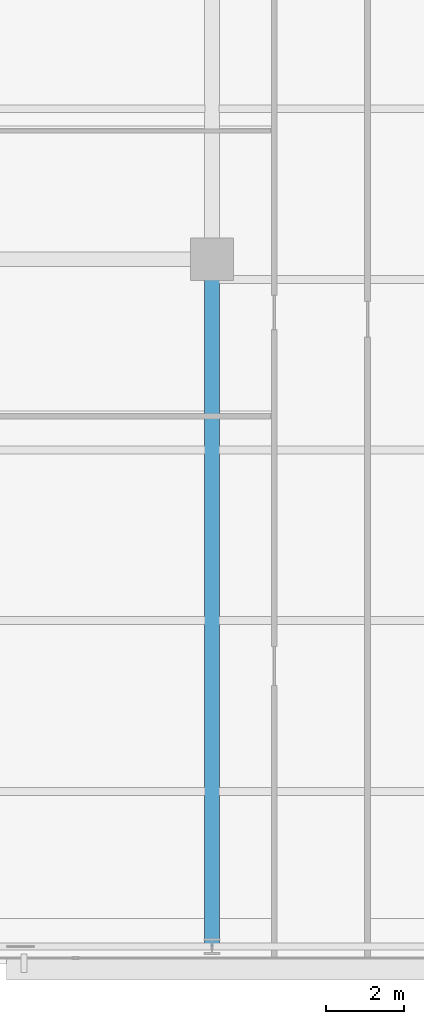
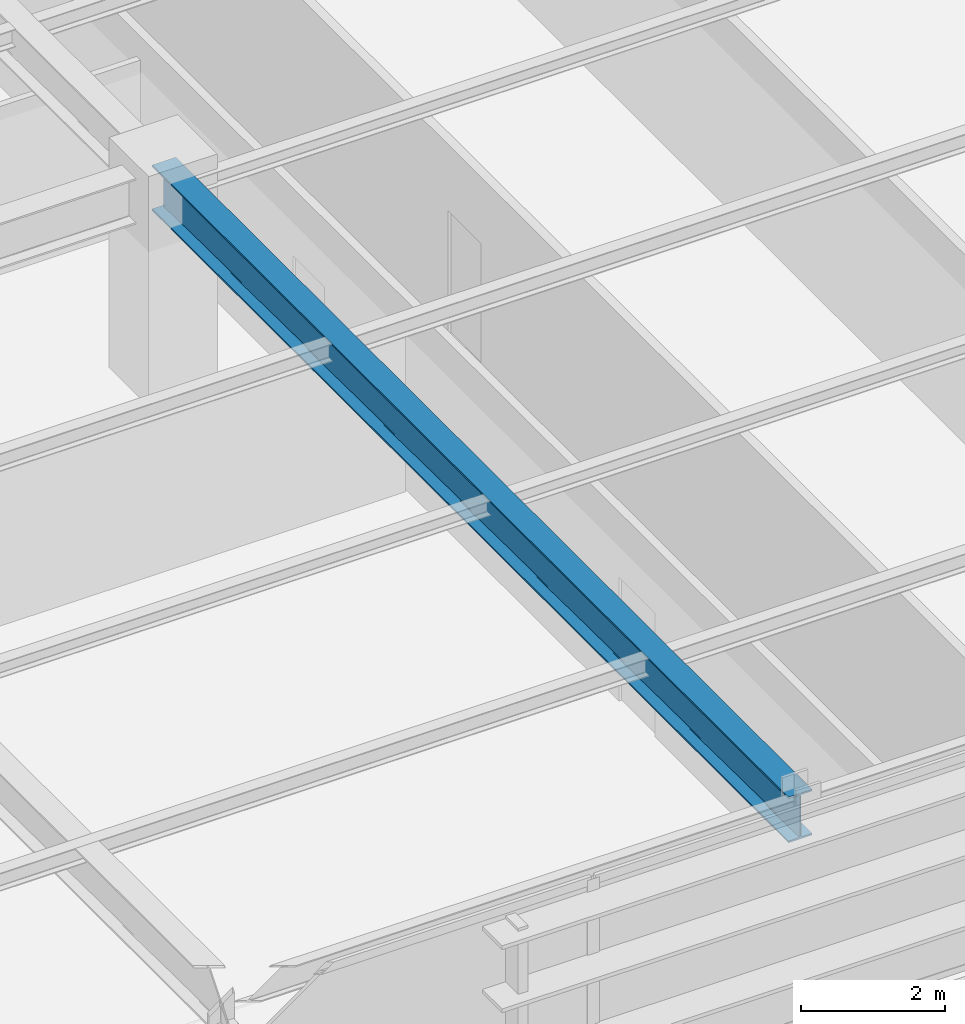
# One storey, part 13 of 32: 1 beam.
"""IFC4 building model written with IfcOpenShell, lengths in metres."""

from ifc_helpers import new_model, si_unit, direction, frame, origin, origin_2d, place, context, subcontext, project, spatial, i_section, extrude, source, transform, mapped, material, material_profile, profile_set, type_object, type_shapes, element, save


model = new_model("IFC4")

# Units and contexts
model_context = context("Model", 3, precision=1e-05, world=origin(), true_north=direction((0.0, 1.0)))
body_context = subcontext(model_context, "Body", "Model", "MODEL_VIEW")
ifc_project = project(units=[si_unit("LENGTHUNIT", "METRE"), si_unit("AREAUNIT", "SQUARE_METRE"), si_unit("VOLUMEUNIT", "CUBIC_METRE"), si_unit("PLANEANGLEUNIT", "RADIAN"), si_unit("MASSUNIT", "GRAM", prefix="KILO")], contexts=[model_context])

# Site, building, storey
site_placement = place(None, origin())
site = spatial("IfcSite", under=ifc_project, at=site_placement, CompositionType="ELEMENT")
building_placement = place(site_placement, origin())
building = spatial("IfcBuilding", under=site, at=building_placement, Name="Varnel Quay Broadcast Tower", CompositionType="ELEMENT")
storey_placement = place(building_placement, frame((0.0, 0.0, 70.5)))
storey = spatial("IfcBuildingStorey", under=building, at=storey_placement, Name="L16", CompositionType="ELEMENT", Elevation=70.5)

# Beam
ifc_material = material(Name="Structural Steel CSA G40.21 350W", Category="steel")
ifc_material_profile = material_profile(ifc_material, i_section(OverallWidth=0.381103515625, OverallDepth=0.77294921875, WebThickness=0.0166015625, FlangeThickness=0.027587890625, FilletRadius=0.01806640625, at=origin_2d()), Name="W760X257")
ifc_profile_set = profile_set([ifc_material_profile], Name="Structural Steel CSA G40.21 350W")
beam_type = type_object("IfcBeamType", Name="Girder_W760X257", PredefinedType="BEAM", material=ifc_profile_set)
shared_shape = source(origin(), body_context, "Body", "SweptSolid", [
    extrude(i_section(OverallWidth=0.381103515625, OverallDepth=0.77294921875, WebThickness=0.0166015625, FlangeThickness=0.027587890625, FilletRadius=0.01806640625, at=origin_2d()), origin(), (0.0, 0.0, 1.0), 17.68017578125),
])
type_shapes(beam_type, [shared_shape])
beam_placement = place(storey_placement, frame((43.199951171875, 1.669921875, 3.263427734375), z_axis=(0.0, 1.0, 0.0), x_axis=(-1.0, 0.0, 0.0)))
element("IfcBeam", 1, at=beam_placement, inside=storey, type_object=beam_type, Name="L16 Primary Girder TC-S4-IC-02", PredefinedType="BEAM", context=body_context, shape_type="MappedRepresentation", body=[
    mapped(shared_shape, transform((0.0, 0.0, 0.0), x_axis=(1.0, 0.0, 0.0), y_axis=(0.0, 1.0, 0.0), z_axis=(0.0, 0.0, 1.0), scale=1.0)),
])

save(model, "model.ifc")
